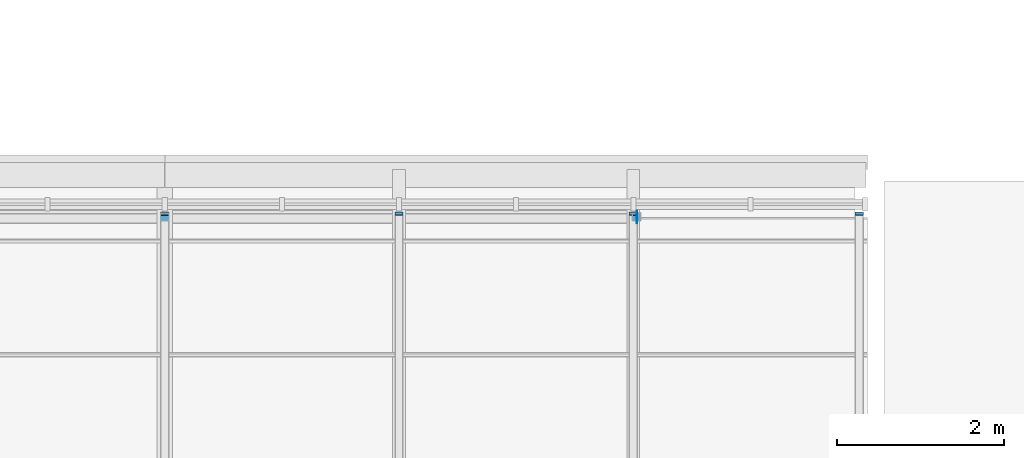
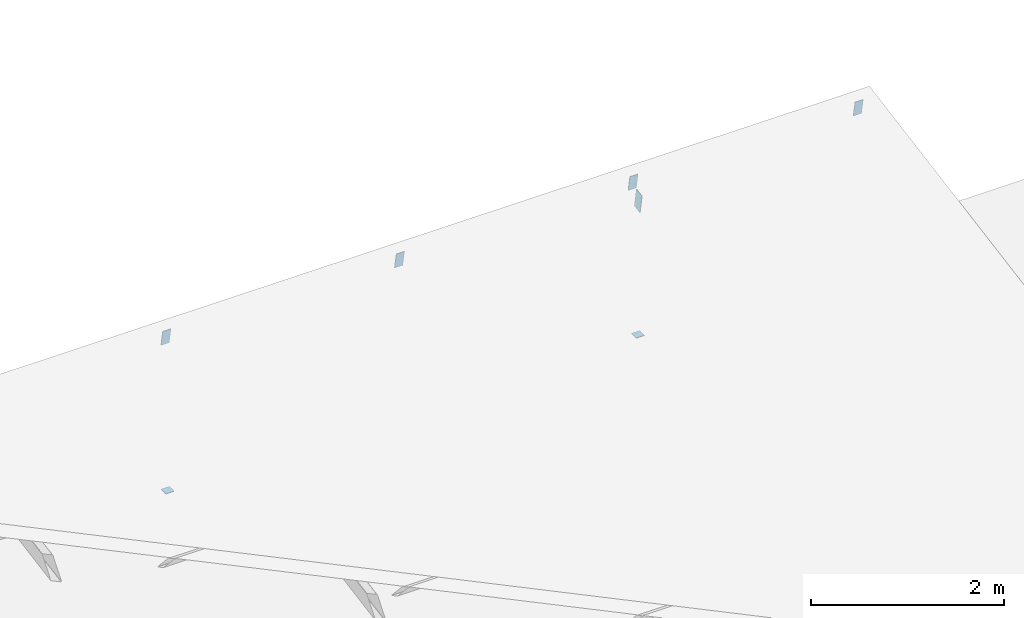
# One storey, part 38 of 42: 7 discrete accessories.
"""IFC4 building model written with IfcOpenShell, lengths in metres."""

from ifc_helpers import new_model, si_unit, direction, frame, origin, origin_2d, place, context, subcontext, project, spatial, rectangle, extrude, material, material_profile, profile_set, type_object, element, save


model = new_model("IFC4")

# Units and contexts
model_context = context("Model", 3, precision=1e-05, world=origin(), true_north=direction((0.0, 1.0)))
body_context = subcontext(model_context, "Body", "Model", "MODEL_VIEW")
ifc_project = project(units=[si_unit("LENGTHUNIT", "METRE"), si_unit("AREAUNIT", "SQUARE_METRE"), si_unit("VOLUMEUNIT", "CUBIC_METRE"), si_unit("PLANEANGLEUNIT", "RADIAN"), si_unit("MASSUNIT", "GRAM", prefix="KILO")], contexts=[model_context])

# Site, building, storey
site_placement = place(None, origin())
site = spatial("IfcSite", under=ifc_project, at=site_placement, CompositionType="ELEMENT")
building_placement = place(site_placement, origin())
building = spatial("IfcBuilding", under=site, at=building_placement, Name="Ardhachandra Cancer Care Centre", CompositionType="ELEMENT")
storey_placement = place(building_placement, frame((0.0, 0.0, 22.5)))
storey = spatial("IfcBuildingStorey", under=building, at=storey_placement, Name="L05", CompositionType="ELEMENT", Elevation=22.5)

# Discrete accessories
ifc_material_1 = material(Name="Galvanised flat steel (Steel E250 (IS 2062))", Category="steel")
ifc_material_profile_1 = material_profile(ifc_material_1, rectangle(XDim=0.10009765625, YDim=0.199951171875, at=origin_2d()), Name="Rafter end plate 200 x 100 x 8")
ifc_profile_set_1 = profile_set([ifc_material_profile_1], Name="Galvanised flat steel (Steel E250 (IS 2062))")
discrete_accessory_type_1 = type_object("IfcDiscreteAccessoryType", Name="Rafter end plate 200 x 100 x 8", PredefinedType="BRACKET", material=ifc_profile_set_1)
for number, where, z_axis, x_axis, name in (
    (1, (27.60009765625, 95.982421875, 1.91845703125), (0.0, 0.982872186934, 0.18428853505), (-1.0, 0.0, 0.0), "Rafter end plate NT3a.4.2"),
    (2, (30.39990234375, 95.982421875, 1.91845703125), (0.0, 0.982872186934, 0.18428853505), (-1.0, 0.0, 0.0), "Rafter end plate NT3a.5.2"),
    (3, (33.199951171875, 95.982421875, 1.91845703125), (0.0, 0.982872186934, 0.18428853505), (-1.0, 0.0, 0.0), "Rafter end plate NT3a.6.2"),
    (4, (35.89990234375, 95.982421875, 1.91845703125), (0.0, 0.982872186934, 0.18428853505), (-1.0, 0.0, 0.0), "Rafter end plate NT3a.7.2"),
):
    element("IfcDiscreteAccessory", number, at=place(storey_placement, frame(where, z_axis=z_axis, x_axis=x_axis)), inside=storey, type_object=discrete_accessory_type_1, Name=name, PredefinedType="BRACKET", context=body_context, shape_type="SweptSolid", body=[
        extrude(rectangle(XDim=0.10009765625, YDim=0.199951171875, at=origin_2d()), origin(), (0.0, 0.0, 1.0), 0.008056640625),
    ])
ifc_material_2 = material(Name="Galvanised flat steel (Steel E250 (IS 2062))", Category="steel")
ifc_material_profile_2 = material_profile(ifc_material_2, rectangle(XDim=0.1201171875, YDim=0.239990234375, at=origin_2d()), Name="Ridge beam end plate 240 x 120 x 8")
ifc_profile_set_2 = profile_set([ifc_material_profile_2], Name="Galvanised flat steel (Steel E250 (IS 2062))")
discrete_accessory_type_2 = type_object("IfcDiscreteAccessoryType", Name="Ridge beam end plate 240 x 120 x 8", PredefinedType="BRACKET", material=ifc_profile_set_2)
discrete_accessory_placement = place(storey_placement, frame((33.239990234375, 95.949951171875, 1.689208984375), z_axis=(1.0, 0.0, 0.0), x_axis=(0.0, 0.984460447526, 0.175606455623)))
element("IfcDiscreteAccessory", 5, at=discrete_accessory_placement, inside=storey, type_object=discrete_accessory_type_2, Name="Ridge beam end plate NT3a.2", PredefinedType="BRACKET", context=body_context, shape_type="SweptSolid", body=[
    extrude(rectangle(XDim=0.1201171875, YDim=0.239990234375, at=origin_2d()), origin(), (0.0, 0.0, 1.0), 0.008056640625),
])
ifc_material_3 = material(Name="Galvanised flat steel (Steel E250 (IS 2062))", Category="steel")
ifc_material_profile_3 = material_profile(ifc_material_3, rectangle(XDim=0.10009765625, YDim=0.10009765625, at=origin_2d()), Name="Ridge post foot plate 100 x 100 x 8")
ifc_profile_set_3 = profile_set([ifc_material_profile_3], Name="Galvanised flat steel (Steel E250 (IS 2062))")
discrete_accessory_type_3 = type_object("IfcDiscreteAccessoryType", Name="Ridge post foot plate 100 x 100 x 8", PredefinedType="BRACKET", material=ifc_profile_set_3)
for number, where, z_axis, x_axis, name in (
    (6, (27.60009765625, 95.949951171875, 0.0), (0.0, 0.0, -1.0), (1.0, 0.0, 0.0), "Ridge post foot plate NT3a.2"),
    (7, (33.239990234375, 95.949951171875, 0.0), (0.0, 0.0, -1.0), (1.0, 0.0, 0.0), "Ridge post foot plate NT3a.3"),
):
    element("IfcDiscreteAccessory", number, at=place(storey_placement, frame(where, z_axis=z_axis, x_axis=x_axis)), inside=storey, type_object=discrete_accessory_type_3, Name=name, PredefinedType="BRACKET", context=body_context, shape_type="SweptSolid", body=[
        extrude(rectangle(XDim=0.10009765625, YDim=0.10009765625, at=origin_2d()), origin(), (0.0, 0.0, 1.0), 0.008056640625),
    ])

save(model, "model.ifc")
